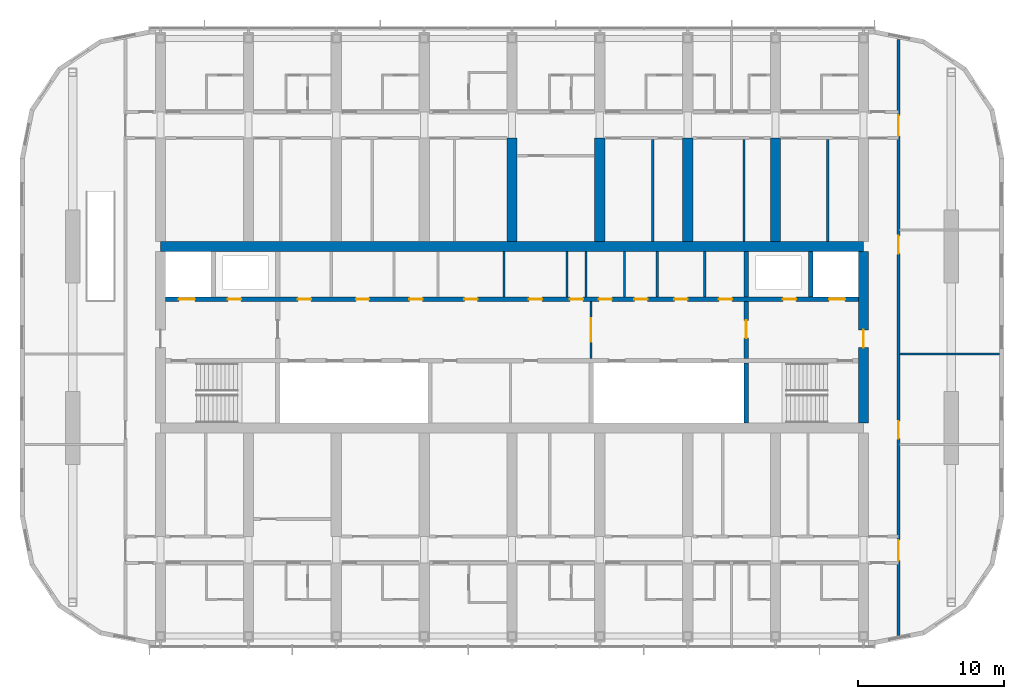
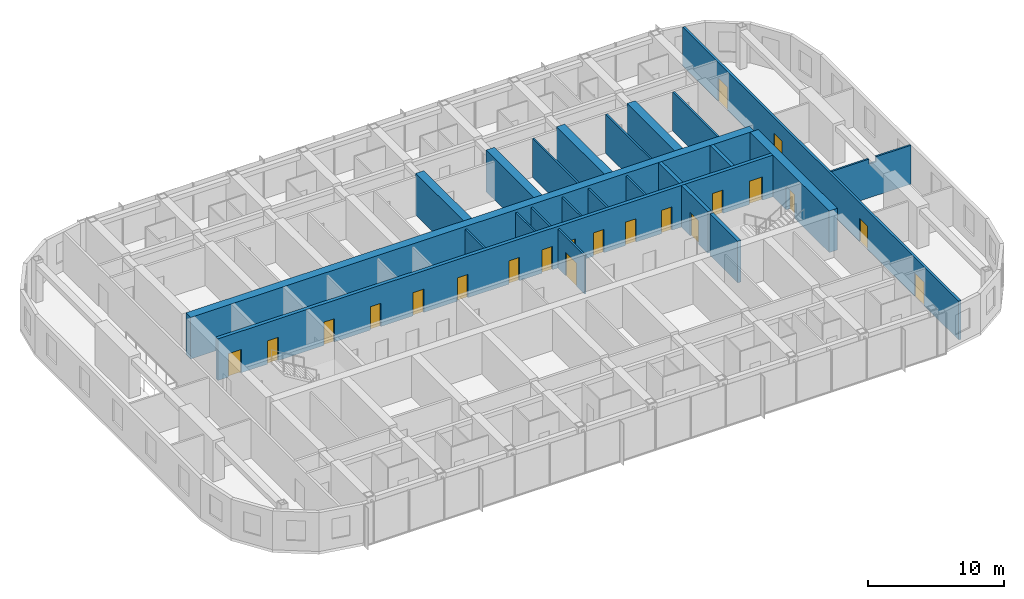
# One storey, part 14 of 23: 23 walls, 21 doors, 21 openings.
"""IFC4 building model written with IfcOpenShell, lengths in metres."""

from ifc_helpers import new_model, si_unit, direction, frame, frame_2d, origin, place, context, subcontext, project, spatial, polyline, rectangle, outline, extrude, material, layer, layer_set, type_object, element, fill, save


model = new_model("IFC4")

# Units and contexts
model_context = context("Model", 3, precision=1e-05, world=origin(), true_north=direction((0.0, 1.0)))
body_context = subcontext(model_context, "Body", "Model", "MODEL_VIEW")
ifc_project = project(units=[si_unit("LENGTHUNIT", "METRE"), si_unit("AREAUNIT", "SQUARE_METRE"), si_unit("VOLUMEUNIT", "CUBIC_METRE"), si_unit("PLANEANGLEUNIT", "RADIAN"), si_unit("MASSUNIT", "GRAM", prefix="KILO")], contexts=[model_context])

# Site, building, storey
site_placement = place(None, origin())
site = spatial("IfcSite", under=ifc_project, at=site_placement, CompositionType="ELEMENT")
building_placement = place(site_placement, origin())
building = spatial("IfcBuilding", under=site, at=building_placement, Name="Orbita Commons", CompositionType="ELEMENT")
storey_placement = place(building_placement, frame((0.0, 0.0, 220.300048828125)))
storey = spatial("IfcBuildingStorey", under=building, at=storey_placement, Name="L54", CompositionType="ELEMENT", Elevation=220.300048828125)

# Wall, openings, doors
ifc_material_1 = material(Name="Concrete C50/60", Category="concrete")
ifc_layer_1 = layer(ifc_material_1, 0.300048828125)
ifc_layer_set_1 = layer_set([ifc_layer_1], Name="Concrete C50/60")
wall_type_1 = type_object("IfcWallType", Name="Core inner wall 300 C50/60", PredefinedType="SHEAR", material=ifc_layer_set_1)
wall_1_placement = place(storey_placement, frame((18.35009765625, 34.60009765625, 0.0), z_axis=(0.0, 0.0, 1.0), x_axis=(1.0, 0.0, 0.0)))
wall_1 = element("IfcWall", 1, at=wall_1_placement, inside=storey, type_object=wall_type_1, Name="Lobby wall north L54", PredefinedType="SHEAR", context=body_context, shape_type="SweptSolid", body=[
    extrude(rectangle(XDim=47.2998046875, YDim=0.300048828125, at=frame_2d((23.64990234375, 0.0))), origin(), (0.0, 0.0, 1.0), 3.75),
])
opening_1_placement = place(wall_1_placement, frame((0.89990234375, 0.0, 0.0)))
opening_1 = element("IfcOpeningElement", 2, at=opening_1_placement, cuts=wall_1, Name="Opening LD01", PredefinedType="OPENING", context=body_context, shape_type="SweptSolid", body=[
    extrude(rectangle(XDim=1.10009765625, YDim=2.10009765625, at=frame_2d((0.550048828125, 1.050048828125))), frame((0.0, 0.159912109375, 0.0), z_axis=(0.0, -1.0, 0.0), x_axis=(1.0, 0.0, 0.0)), (0.0, 0.0, 1.0), 0.320068359375),
])
opening_2_placement = place(wall_1_placement, frame((45.300048828125, 0.0, 0.0)))
opening_2 = element("IfcOpeningElement", 3, at=opening_2_placement, cuts=wall_1, Name="Opening LD01", PredefinedType="OPENING", context=body_context, shape_type="SweptSolid", body=[
    extrude(rectangle(XDim=1.10009765625, YDim=2.10009765625, at=frame_2d((0.550048828125, 1.050048828125))), frame((0.0, 0.159912109375, 0.0), z_axis=(0.0, -1.0, 0.0), x_axis=(1.0, 0.0, 0.0)), (0.0, 0.0, 1.0), 0.320068359375),
])
opening_3_placement = place(wall_1_placement, frame((4.25, 0.0, 0.0)))
opening_3 = element("IfcOpeningElement", 4, at=opening_3_placement, cuts=wall_1, Name="Opening D03", PredefinedType="OPENING", context=body_context, shape_type="SweptSolid", body=[
    extrude(rectangle(XDim=0.89990234375, YDim=2.10009765625, at=frame_2d((0.449951171875, 1.050048828125))), frame((0.0, 0.159912109375, 0.0), z_axis=(0.0, -1.0, 0.0), x_axis=(1.0, 0.0, 0.0)), (0.0, 0.0, 1.0), 0.320068359375),
])
opening_4_placement = place(wall_1_placement, frame((42.14990234375, 0.0, 0.0)))
opening_4 = element("IfcOpeningElement", 5, at=opening_4_placement, cuts=wall_1, Name="Opening D03", PredefinedType="OPENING", context=body_context, shape_type="SweptSolid", body=[
    extrude(rectangle(XDim=0.89990234375, YDim=2.10009765625, at=frame_2d((0.449951171875, 1.050048828125))), frame((0.0, 0.159912109375, 0.0), z_axis=(0.0, -1.0, 0.0), x_axis=(1.0, 0.0, 0.0)), (0.0, 0.0, 1.0), 0.320068359375),
])
opening_5_placement = place(wall_1_placement, frame((9.025390625, 0.0, 0.0)))
opening_5 = element("IfcOpeningElement", 6, at=opening_5_placement, cuts=wall_1, Name="Opening D03", PredefinedType="OPENING", context=body_context, shape_type="SweptSolid", body=[
    extrude(rectangle(XDim=0.89990234375, YDim=2.10009765625, at=frame_2d((0.449951171875, 1.050048828125))), frame((0.0, 0.159912109375, 0.0), z_axis=(0.0, -1.0, 0.0), x_axis=(1.0, 0.0, 0.0)), (0.0, 0.0, 1.0), 0.320068359375),
])
opening_6_placement = place(wall_1_placement, frame((12.998779296875, 0.0, 0.0)))
opening_6 = element("IfcOpeningElement", 7, at=opening_6_placement, cuts=wall_1, Name="Opening D03", PredefinedType="OPENING", context=body_context, shape_type="SweptSolid", body=[
    extrude(rectangle(XDim=0.89990234375, YDim=2.10009765625, at=frame_2d((0.449951171875, 1.050048828125))), frame((0.0, 0.159912109375, 0.0), z_axis=(0.0, -1.0, 0.0), x_axis=(1.0, 0.0, 0.0)), (0.0, 0.0, 1.0), 0.320068359375),
])
opening_7_placement = place(wall_1_placement, frame((16.646240234375, 0.0, 0.0)))
opening_7 = element("IfcOpeningElement", 8, at=opening_7_placement, cuts=wall_1, Name="Opening D03", PredefinedType="OPENING", context=body_context, shape_type="SweptSolid", body=[
    extrude(rectangle(XDim=0.89990234375, YDim=2.10009765625, at=frame_2d((0.449951171875, 1.050048828125))), frame((0.0, 0.159912109375, 0.0), z_axis=(0.0, -1.0, 0.0), x_axis=(1.0, 0.0, 0.0)), (0.0, 0.0, 1.0), 0.320068359375),
])
opening_8_placement = place(wall_1_placement, frame((20.40478515625, 0.0, 0.0)))
opening_8 = element("IfcOpeningElement", 9, at=opening_8_placement, cuts=wall_1, Name="Opening D03", PredefinedType="OPENING", context=body_context, shape_type="SweptSolid", body=[
    extrude(rectangle(XDim=0.89990234375, YDim=2.10009765625, at=frame_2d((0.449951171875, 1.050048828125))), frame((0.0, 0.159912109375, 0.0), z_axis=(0.0, -1.0, 0.0), x_axis=(1.0, 0.0, 0.0)), (0.0, 0.0, 1.0), 0.320068359375),
])
opening_9_placement = place(wall_1_placement, frame((24.810791015625, 0.0, 0.0)))
opening_9 = element("IfcOpeningElement", 10, at=opening_9_placement, cuts=wall_1, Name="Opening D03", PredefinedType="OPENING", context=body_context, shape_type="SweptSolid", body=[
    extrude(rectangle(XDim=0.89990234375, YDim=2.10009765625, at=frame_2d((0.449951171875, 1.050048828125))), frame((0.0, 0.159912109375, 0.0), z_axis=(0.0, -1.0, 0.0), x_axis=(1.0, 0.0, 0.0)), (0.0, 0.0, 1.0), 0.320068359375),
])
opening_10_placement = place(wall_1_placement, frame((27.6083984375, 0.0, 0.0)))
opening_10 = element("IfcOpeningElement", 11, at=opening_10_placement, cuts=wall_1, Name="Opening D03", PredefinedType="OPENING", context=body_context, shape_type="SweptSolid", body=[
    extrude(rectangle(XDim=0.89990234375, YDim=2.10009765625, at=frame_2d((0.449951171875, 1.050048828125))), frame((0.0, 0.159912109375, 0.0), z_axis=(0.0, -1.0, 0.0), x_axis=(1.0, 0.0, 0.0)), (0.0, 0.0, 1.0), 0.320068359375),
])
opening_11_placement = place(wall_1_placement, frame((29.575439453125, 0.0, 0.0)))
opening_11 = element("IfcOpeningElement", 12, at=opening_11_placement, cuts=wall_1, Name="Opening D05", PredefinedType="OPENING", context=body_context, shape_type="SweptSolid", body=[
    extrude(rectangle(XDim=0.89990234375, YDim=2.10009765625, at=frame_2d((0.449951171875, 1.050048828125))), frame((0.0, 0.159912109375, 0.0), z_axis=(0.0, -1.0, 0.0), x_axis=(1.0, 0.0, 0.0)), (0.0, 0.0, 1.0), 0.320068359375),
])
opening_12_placement = place(wall_1_placement, frame((32.0068359375, 0.0, 0.0)))
opening_12 = element("IfcOpeningElement", 13, at=opening_12_placement, cuts=wall_1, Name="Opening D05", PredefinedType="OPENING", context=body_context, shape_type="SweptSolid", body=[
    extrude(rectangle(XDim=0.89990234375, YDim=2.10009765625, at=frame_2d((0.449951171875, 1.050048828125))), frame((0.0, 0.159912109375, 0.0), z_axis=(0.0, -1.0, 0.0), x_axis=(1.0, 0.0, 0.0)), (0.0, 0.0, 1.0), 0.320068359375),
])
opening_13_placement = place(wall_1_placement, frame((34.7421875, 0.0, 0.0)))
opening_13 = element("IfcOpeningElement", 14, at=opening_13_placement, cuts=wall_1, Name="Opening D05", PredefinedType="OPENING", context=body_context, shape_type="SweptSolid", body=[
    extrude(rectangle(XDim=0.89990234375, YDim=2.10009765625, at=frame_2d((0.449951171875, 1.050048828125))), frame((0.0, 0.159912109375, 0.0), z_axis=(0.0, -1.0, 0.0), x_axis=(1.0, 0.0, 0.0)), (0.0, 0.0, 1.0), 0.320068359375),
])
opening_14_placement = place(wall_1_placement, frame((37.781494140625, 0.0, 0.0)))
opening_14 = element("IfcOpeningElement", 15, at=opening_14_placement, cuts=wall_1, Name="Opening D03", PredefinedType="OPENING", context=body_context, shape_type="SweptSolid", body=[
    extrude(rectangle(XDim=0.89990234375, YDim=2.10009765625, at=frame_2d((0.449951171875, 1.050048828125))), frame((0.0, 0.159912109375, 0.0), z_axis=(0.0, -1.0, 0.0), x_axis=(1.0, 0.0, 0.0)), (0.0, 0.0, 1.0), 0.320068359375),
])
ifc_material_2 = material(Name="Steel-faced fire door leaf", Category="steel")
door_type_1 = type_object("IfcDoorType", Name="Firefighting lift landing door 1100x2100", OperationType="DOUBLE_DOOR_SLIDING", PredefinedType="DOOR", material=ifc_material_2)
door_1_placement = place(opening_1_placement, origin())
door_1 = element("IfcDoor", 16, at=door_1_placement, inside=storey, type_object=door_type_1, Name="Firefighting lift FL1 landing door", OperationType="DOUBLE_DOOR_SLIDING", OverallHeight=2.10009765625, OverallWidth=1.10009765625, PredefinedType="DOOR", context=body_context, shape_type="SweptSolid", body=[
    extrude(rectangle(XDim=1.10009765625, YDim=2.10009765625, at=frame_2d((0.550048828125, 1.050048828125))), frame((0.0, 0.02490234375, 0.0), z_axis=(0.0, -1.0, 0.0), x_axis=(1.0, 0.0, 0.0)), (0.0, 0.0, 1.0), 0.050048828125),
])
fill(opening_1, door_1)
door_2_placement = place(opening_2_placement, origin())
door_2 = element("IfcDoor", 17, at=door_2_placement, inside=storey, type_object=door_type_1, Name="Firefighting lift FL2 landing door", OperationType="DOUBLE_DOOR_SLIDING", OverallHeight=2.10009765625, OverallWidth=1.10009765625, PredefinedType="DOOR", context=body_context, shape_type="SweptSolid", body=[
    extrude(rectangle(XDim=1.10009765625, YDim=2.10009765625, at=frame_2d((0.550048828125, 1.050048828125))), frame((0.0, 0.02490234375, 0.0), z_axis=(0.0, -1.0, 0.0), x_axis=(1.0, 0.0, 0.0)), (0.0, 0.0, 1.0), 0.050048828125),
])
fill(opening_2, door_2)
ifc_material_3 = material(Name="Steel-faced fire door leaf", Category="steel")
door_type_2 = type_object("IfcDoorType", Name="Service door 20 min 900x2100", OperationType="SINGLE_SWING_LEFT", PredefinedType="DOOR", material=ifc_material_3)
door_3_placement = place(opening_11_placement, origin())
door_3 = element("IfcDoor", 18, at=door_3_placement, inside=storey, type_object=door_type_2, Name="Accessible WC door", OperationType="SINGLE_SWING_LEFT", OverallHeight=2.10009765625, OverallWidth=0.89990234375, PredefinedType="DOOR", context=body_context, shape_type="SweptSolid", body=[
    extrude(rectangle(XDim=0.89990234375, YDim=2.10009765625, at=frame_2d((0.449951171875, 1.050048828125))), frame((0.0, 0.02490234375, 0.0), z_axis=(0.0, -1.0, 0.0), x_axis=(1.0, 0.0, 0.0)), (0.0, 0.0, 1.0), 0.050048828125),
])
fill(opening_11, door_3)
door_4_placement = place(opening_12_placement, origin())
door_4 = element("IfcDoor", 19, at=door_4_placement, inside=storey, type_object=door_type_2, Name="Staff WC door", OperationType="SINGLE_SWING_LEFT", OverallHeight=2.10009765625, OverallWidth=0.89990234375, PredefinedType="DOOR", context=body_context, shape_type="SweptSolid", body=[
    extrude(rectangle(XDim=0.89990234375, YDim=2.10009765625, at=frame_2d((0.449951171875, 1.050048828125))), frame((0.0, 0.02490234375, 0.0), z_axis=(0.0, -1.0, 0.0), x_axis=(1.0, 0.0, 0.0)), (0.0, 0.0, 1.0), 0.050048828125),
])
fill(opening_12, door_4)
door_5_placement = place(opening_13_placement, origin())
door_5 = element("IfcDoor", 20, at=door_5_placement, inside=storey, type_object=door_type_2, Name="Guest pantry door", OperationType="SINGLE_SWING_LEFT", OverallHeight=2.10009765625, OverallWidth=0.89990234375, PredefinedType="DOOR", context=body_context, shape_type="SweptSolid", body=[
    extrude(rectangle(XDim=0.89990234375, YDim=2.10009765625, at=frame_2d((0.449951171875, 1.050048828125))), frame((0.0, 0.02490234375, 0.0), z_axis=(0.0, -1.0, 0.0), x_axis=(1.0, 0.0, 0.0)), (0.0, 0.0, 1.0), 0.050048828125),
])
fill(opening_13, door_5)
ifc_material_4 = material(Name="Steel-faced fire door leaf", Category="steel")
door_type_3 = type_object("IfcDoorType", Name="Shaft access door 90 min 900x2100", OperationType="SINGLE_SWING_LEFT", PredefinedType="DOOR", material=ifc_material_4)
door_6_placement = place(opening_3_placement, origin())
door_6 = element("IfcDoor", 21, at=door_6_placement, inside=storey, type_object=door_type_3, Name="Riser door west", OperationType="SINGLE_SWING_LEFT", OverallHeight=2.10009765625, OverallWidth=0.89990234375, PredefinedType="DOOR", context=body_context, shape_type="SweptSolid", body=[
    extrude(rectangle(XDim=0.89990234375, YDim=2.10009765625, at=frame_2d((0.449951171875, 1.050048828125))), frame((0.0, 0.02490234375, 0.0), z_axis=(0.0, -1.0, 0.0), x_axis=(1.0, 0.0, 0.0)), (0.0, 0.0, 1.0), 0.050048828125),
])
fill(opening_3, door_6)
door_7_placement = place(opening_4_placement, origin())
door_7 = element("IfcDoor", 22, at=door_7_placement, inside=storey, type_object=door_type_3, Name="Riser door east", OperationType="SINGLE_SWING_LEFT", OverallHeight=2.10009765625, OverallWidth=0.89990234375, PredefinedType="DOOR", context=body_context, shape_type="SweptSolid", body=[
    extrude(rectangle(XDim=0.89990234375, YDim=2.10009765625, at=frame_2d((0.449951171875, 1.050048828125))), frame((0.0, 0.02490234375, 0.0), z_axis=(0.0, -1.0, 0.0), x_axis=(1.0, 0.0, 0.0)), (0.0, 0.0, 1.0), 0.050048828125),
])
fill(opening_4, door_7)
door_8_placement = place(opening_5_placement, origin())
door_8 = element("IfcDoor", 23, at=door_8_placement, inside=storey, type_object=door_type_3, Name="Cleaners store door", OperationType="SINGLE_SWING_LEFT", OverallHeight=2.10009765625, OverallWidth=0.89990234375, PredefinedType="DOOR", context=body_context, shape_type="SweptSolid", body=[
    extrude(rectangle(XDim=0.89990234375, YDim=2.10009765625, at=frame_2d((0.449951171875, 1.050048828125))), frame((0.0, 0.02490234375, 0.0), z_axis=(0.0, -1.0, 0.0), x_axis=(1.0, 0.0, 0.0)), (0.0, 0.0, 1.0), 0.050048828125),
])
fill(opening_5, door_8)
door_9_placement = place(opening_6_placement, origin())
door_9 = element("IfcDoor", 24, at=door_9_placement, inside=storey, type_object=door_type_3, Name="Refuse chute room door", OperationType="SINGLE_SWING_LEFT", OverallHeight=2.10009765625, OverallWidth=0.89990234375, PredefinedType="DOOR", context=body_context, shape_type="SweptSolid", body=[
    extrude(rectangle(XDim=0.89990234375, YDim=2.10009765625, at=frame_2d((0.449951171875, 1.050048828125))), frame((0.0, 0.02490234375, 0.0), z_axis=(0.0, -1.0, 0.0), x_axis=(1.0, 0.0, 0.0)), (0.0, 0.0, 1.0), 0.050048828125),
])
fill(opening_6, door_9)
door_10_placement = place(opening_7_placement, origin())
door_10 = element("IfcDoor", 25, at=door_10_placement, inside=storey, type_object=door_type_3, Name="Electrical riser room door", OperationType="SINGLE_SWING_LEFT", OverallHeight=2.10009765625, OverallWidth=0.89990234375, PredefinedType="DOOR", context=body_context, shape_type="SweptSolid", body=[
    extrude(rectangle(XDim=0.89990234375, YDim=2.10009765625, at=frame_2d((0.449951171875, 1.050048828125))), frame((0.0, 0.02490234375, 0.0), z_axis=(0.0, -1.0, 0.0), x_axis=(1.0, 0.0, 0.0)), (0.0, 0.0, 1.0), 0.050048828125),
])
fill(opening_7, door_10)
door_11_placement = place(opening_8_placement, origin())
door_11 = element("IfcDoor", 26, at=door_11_placement, inside=storey, type_object=door_type_3, Name="IT room door", OperationType="SINGLE_SWING_LEFT", OverallHeight=2.10009765625, OverallWidth=0.89990234375, PredefinedType="DOOR", context=body_context, shape_type="SweptSolid", body=[
    extrude(rectangle(XDim=0.89990234375, YDim=2.10009765625, at=frame_2d((0.449951171875, 1.050048828125))), frame((0.0, 0.02490234375, 0.0), z_axis=(0.0, -1.0, 0.0), x_axis=(1.0, 0.0, 0.0)), (0.0, 0.0, 1.0), 0.050048828125),
])
fill(opening_8, door_11)
door_12_placement = place(opening_9_placement, origin())
door_12 = element("IfcDoor", 27, at=door_12_placement, inside=storey, type_object=door_type_3, Name="Communications room door", OperationType="SINGLE_SWING_LEFT", OverallHeight=2.10009765625, OverallWidth=0.89990234375, PredefinedType="DOOR", context=body_context, shape_type="SweptSolid", body=[
    extrude(rectangle(XDim=0.89990234375, YDim=2.10009765625, at=frame_2d((0.449951171875, 1.050048828125))), frame((0.0, 0.02490234375, 0.0), z_axis=(0.0, -1.0, 0.0), x_axis=(1.0, 0.0, 0.0)), (0.0, 0.0, 1.0), 0.050048828125),
])
fill(opening_9, door_12)
door_13_placement = place(opening_10_placement, origin())
door_13 = element("IfcDoor", 28, at=door_13_placement, inside=storey, type_object=door_type_3, Name="Stair pressurisation duct door", OperationType="SINGLE_SWING_LEFT", OverallHeight=2.10009765625, OverallWidth=0.89990234375, PredefinedType="DOOR", context=body_context, shape_type="SweptSolid", body=[
    extrude(rectangle(XDim=0.89990234375, YDim=2.10009765625, at=frame_2d((0.449951171875, 1.050048828125))), frame((0.0, 0.02490234375, 0.0), z_axis=(0.0, -1.0, 0.0), x_axis=(1.0, 0.0, 0.0)), (0.0, 0.0, 1.0), 0.050048828125),
])
fill(opening_10, door_13)
door_14_placement = place(opening_14_placement, origin())
door_14 = element("IfcDoor", 29, at=door_14_placement, inside=storey, type_object=door_type_3, Name="Linen store door", OperationType="SINGLE_SWING_LEFT", OverallHeight=2.10009765625, OverallWidth=0.89990234375, PredefinedType="DOOR", context=body_context, shape_type="SweptSolid", body=[
    extrude(rectangle(XDim=0.89990234375, YDim=2.10009765625, at=frame_2d((0.449951171875, 1.050048828125))), frame((0.0, 0.02490234375, 0.0), z_axis=(0.0, -1.0, 0.0), x_axis=(1.0, 0.0, 0.0)), (0.0, 0.0, 1.0), 0.050048828125),
])
fill(opening_14, door_14)

# Wall
wall_2_placement = place(storey_placement, frame((58.0, 26.14990234375, 0.0), z_axis=(0.0, 0.0, 1.0), x_axis=(0.0, 1.0, 0.0)))
element("IfcWall", 30, at=wall_2_placement, inside=storey, type_object=wall_type_1, Name="Stair S2 wall L54", PredefinedType="SHEAR", context=body_context, shape_type="SweptSolid", body=[
    extrude(rectangle(XDim=4.10009765625, YDim=0.300048828125, at=frame_2d((2.050048828125, 0.0))), origin(), (0.0, 0.0, 1.0), 3.75),
])

# Wall, opening, door
wall_3_placement = place(storey_placement, frame((58.0, 30.550048828125, 0.0), z_axis=(0.0, 0.0, 1.0), x_axis=(0.0, 1.0, 0.0)))
wall_3 = element("IfcWall", 31, at=wall_3_placement, inside=storey, type_object=wall_type_1, Name="Firefighting lobby wall east L54", PredefinedType="SHEAR", context=body_context, shape_type="SweptSolid", body=[
    extrude(rectangle(XDim=3.89990234375, YDim=0.300048828125, at=frame_2d((1.949951171875, 0.0))), origin(), (0.0, 0.0, 1.0), 3.75),
])
opening_15_placement = place(wall_3_placement, frame((1.39990234375, 0.0, 0.0)))
opening_15 = element("IfcOpeningElement", 32, at=opening_15_placement, cuts=wall_3, Name="Opening D04", PredefinedType="OPENING", context=body_context, shape_type="SweptSolid", body=[
    extrude(rectangle(XDim=1.199951171875, YDim=2.10009765625, at=frame_2d((0.60009765625, 1.050048828125))), frame((0.0, 0.159912109375, 0.0), z_axis=(0.0, -1.0, 0.0), x_axis=(1.0, 0.0, 0.0)), (0.0, 0.0, 1.0), 0.320068359375),
])
ifc_material_5 = material(Name="Steel-faced fire door leaf", Category="steel")
door_type_4 = type_object("IfcDoorType", Name="Service door 20 min 1200x2100", OperationType="SINGLE_SWING_LEFT", PredefinedType="DOOR", material=ifc_material_5)
door_15_placement = place(opening_15_placement, origin())
door_15 = element("IfcDoor", 33, at=door_15_placement, inside=storey, type_object=door_type_4, Name="Lift lobby door east", OperationType="SINGLE_SWING_LEFT", OverallHeight=2.10009765625, OverallWidth=1.199951171875, PredefinedType="DOOR", context=body_context, shape_type="SweptSolid", body=[
    extrude(rectangle(XDim=1.199951171875, YDim=2.10009765625, at=frame_2d((0.60009765625, 1.050048828125))), frame((0.0, 0.02490234375, 0.0), z_axis=(0.0, -1.0, 0.0), x_axis=(1.0, 0.0, 0.0)), (0.0, 0.0, 1.0), 0.050048828125),
])
fill(opening_15, door_15)

# Walls
for number, where, z_axis, x_axis, name in (
    (34, (62.39990234375, 34.75, 0.0), (0.0, 0.0, 1.0), (0.0, 1.0, 0.0), "Firefighting lift FL2 shaft wall L54"),
    (35, (58.0, 34.75, 0.0), (0.0, 0.0, 1.0), (0.0, 1.0, 0.0), "Riser wall east L54"),
):
    element("IfcWall", number, at=place(storey_placement, frame(where, z_axis=z_axis, x_axis=x_axis)), inside=storey, type_object=wall_type_1, Name=name, PredefinedType="SHEAR", context=body_context, shape_type="SweptSolid", body=[
        extrude(rectangle(XDim=3.10009765625, YDim=0.300048828125, at=frame_2d((1.550048828125, 0.0))), origin(), (0.0, 0.0, 1.0), 3.75),
    ])

# Wall, opening, door
ifc_material_6 = material(Name="Concrete blockwork", Category="masonry")
ifc_layer_2 = layer(ifc_material_6, 0.14990234375)
ifc_layer_set_2 = layer_set([ifc_layer_2], Name="Concrete blockwork")
wall_type_2 = type_object("IfcWallType", Name="Core partition 150 blockwork", PredefinedType="SOLIDWALL", material=ifc_layer_set_2)
wall_4_placement = place(storey_placement, frame((47.39990234375, 30.550048828125, 0.0), z_axis=(0.0, 0.0, 1.0), x_axis=(0.0, 1.0, 0.0)))
wall_4 = element("IfcWall", 36, at=wall_4_placement, inside=storey, type_object=wall_type_2, Name="Core partition 150 blockwork L54", PredefinedType="SOLIDWALL", context=body_context, shape_type="SweptSolid", body=[
    extrude(rectangle(XDim=3.89990234375, YDim=0.14990234375, at=frame_2d((1.949951171875, 0.0))), origin(), (0.0, 0.0, 1.0), 3.5),
])
opening_16_placement = place(wall_4_placement, frame((1.14990234375, 0.0, 0.0)))
opening_16 = element("IfcOpeningElement", 37, at=opening_16_placement, cuts=wall_4, Name="Opening D10", PredefinedType="OPENING", context=body_context, shape_type="SweptSolid", body=[
    extrude(rectangle(XDim=1.60009765625, YDim=2.10009765625, at=frame_2d((0.800048828125, 1.050048828125))), frame((0.0, 0.0849609375, 0.0), z_axis=(0.0, -1.0, 0.0), x_axis=(1.0, 0.0, 0.0)), (0.0, 0.0, 1.0), 0.169921875),
])
ifc_material_7 = material(Name="Steel-faced fire door leaf", Category="steel")
door_type_5 = type_object("IfcDoorType", Name="Double corridor door 20 min 1600x2100", OperationType="DOUBLE_DOOR_SINGLE_SWING", PredefinedType="DOOR", material=ifc_material_7)
door_16_placement = place(opening_16_placement, origin())
door_16 = element("IfcDoor", 38, at=door_16_placement, inside=storey, type_object=door_type_5, Name="Lift lobby screen doors", OperationType="DOUBLE_DOOR_SINGLE_SWING", OverallHeight=2.10009765625, OverallWidth=1.60009765625, PredefinedType="DOOR", context=body_context, shape_type="SweptSolid", body=[
    extrude(rectangle(XDim=1.60009765625, YDim=2.10009765625, at=frame_2d((0.800048828125, 1.050048828125))), frame((0.0, 0.02490234375, 0.0), z_axis=(0.0, -1.0, 0.0), x_axis=(1.0, 0.0, 0.0)), (0.0, 0.0, 1.0), 0.050048828125),
])
fill(opening_16, door_16)

# Walls
for number, where, z_axis, x_axis, name in (
    (39, (41.463134765625, 34.75, 0.0), (0.0, 0.0, 1.0), (0.0, 1.0, 0.0), "Core partition 150 blockwork L54"),
    (40, (45.75830078125, 34.75, 0.0), (0.0, 0.0, 1.0), (0.0, 1.0, 0.0), "Core partition 150 blockwork L54"),
    (41, (47.058349609375, 34.75, 0.0), (0.0, 0.0, 1.0), (0.0, 1.0, 0.0), "Core partition 150 blockwork L54"),
    (42, (49.6923828125, 34.75, 0.0), (0.0, 0.0, 1.0), (0.0, 1.0, 0.0), "Core partition 150 blockwork L54"),
    (43, (51.92138671875, 34.75, 0.0), (0.0, 0.0, 1.0), (0.0, 1.0, 0.0), "Core partition 150 blockwork L54"),
    (44, (55.163330078125, 34.75, 0.0), (0.0, 0.0, 1.0), (0.0, 1.0, 0.0), "Core partition 150 blockwork L54"),
):
    element("IfcWall", number, at=place(storey_placement, frame(where, z_axis=z_axis, x_axis=x_axis)), inside=storey, type_object=wall_type_2, Name=name, PredefinedType="SOLIDWALL", context=body_context, shape_type="SweptSolid", body=[
        extrude(rectangle(XDim=3.10009765625, YDim=0.14990234375, at=frame_2d((1.550048828125, 0.0))), origin(), (0.0, 0.0, 1.0), 3.5),
    ])
ifc_material_8 = material(Name="Concrete C50/60", Category="concrete")
ifc_layer_3 = layer(ifc_material_8, 0.699951171875)
ifc_layer_set_3 = layer_set([ifc_layer_3], Name="Concrete C50/60")
wall_type_3 = type_object("IfcWallType", Name="Core wall 700 C50/60", PredefinedType="SHEAR", material=ifc_layer_set_3)
wall_5_placement = place(storey_placement, frame((18.0, 38.199951171875, 0.0), z_axis=(0.0, 0.0, 1.0), x_axis=(1.0, 0.0, 0.0)))
element("IfcWall", 45, at=wall_5_placement, inside=storey, type_object=wall_type_3, Name="Core spine wall north L54", PredefinedType="SHEAR", context=body_context, shape_type="SweptSolid", body=[
    extrude(rectangle(XDim=48.0, YDim=0.699951171875, at=frame_2d((24.0, 0.0))), origin(), (0.0, 0.0, 1.0), 3.75),
])

# Wall, opening, door
wall_6_placement = place(storey_placement, frame((66.0, 26.14990234375, 0.0), z_axis=(0.0, 0.0, 1.0), x_axis=(0.0, 1.0, 0.0)))
wall_6 = element("IfcWall", 46, at=wall_6_placement, inside=storey, type_object=wall_type_3, Name="Core end wall east L54", PredefinedType="SHEAR", context=body_context, shape_type="SweptSolid", body=[
    extrude(rectangle(XDim=11.7001953125, YDim=0.699951171875, at=frame_2d((5.85009765625, 0.0))), origin(), (0.0, 0.0, 1.0), 3.75),
])
opening_17_placement = place(wall_6_placement, frame((5.14990234375, 0.0, 0.0)))
opening_17 = element("IfcOpeningElement", 47, at=opening_17_placement, cuts=wall_6, Name="Opening D01", PredefinedType="OPENING", context=body_context, shape_type="SweptSolid", body=[
    extrude(rectangle(XDim=1.199951171875, YDim=2.10009765625, at=frame_2d((0.60009765625, 1.050048828125))), frame((0.0, 0.35986328125, 0.0), z_axis=(0.0, -1.0, 0.0), x_axis=(1.0, 0.0, 0.0)), (0.0, 0.0, 1.0), 0.719970703125),
])
ifc_material_9 = material(Name="Steel-faced fire door leaf", Category="steel")
door_type_6 = type_object("IfcDoorType", Name="Fire door 90 min 1200x2100", OperationType="SINGLE_SWING_LEFT", PredefinedType="DOOR", material=ifc_material_9)
door_17_placement = place(opening_17_placement, origin())
door_17 = element("IfcDoor", 48, at=door_17_placement, inside=storey, type_object=door_type_6, Name="Firefighting lobby east door", OperationType="SINGLE_SWING_LEFT", OverallHeight=2.10009765625, OverallWidth=1.199951171875, PredefinedType="DOOR", context=body_context, shape_type="SweptSolid", body=[
    extrude(rectangle(XDim=1.199951171875, YDim=2.10009765625, at=frame_2d((0.60009765625, 1.050048828125))), frame((0.0, 0.02490234375, 0.0), z_axis=(0.0, -1.0, 0.0), x_axis=(1.0, 0.0, 0.0)), (0.0, 0.0, 1.0), 0.050048828125),
])
fill(opening_17, door_17)

# Wall, openings, doors
ifc_material_10 = material(Name="Concrete blockwork", Category="masonry")
ifc_layer_4 = layer(ifc_material_10, 0.199951171875)
ifc_layer_set_4 = layer_set([ifc_layer_4], Name="Concrete blockwork")
wall_type_4 = type_object("IfcWallType", Name="Corridor wall 200 blockwork", PredefinedType="SOLIDWALL", material=ifc_layer_set_4)
wall_7_placement = place(storey_placement, frame((68.39990234375, 11.646240234375, 0.0), z_axis=(0.0, 0.0, 1.0), x_axis=(0.0, 1.0, 0.0)))
wall_7 = element("IfcWall", 49, at=wall_7_placement, inside=storey, type_object=wall_type_4, Name="Corridor wall 200 blockwork L54", PredefinedType="SOLIDWALL", context=body_context, shape_type="SweptSolid", body=[
    extrude(rectangle(XDim=40.70751953125, YDim=0.199951171875, at=frame_2d((20.353759765625, 0.0))), origin(), (0.0, 0.0, 1.0), 3.5),
])
opening_18_placement = place(wall_7_placement, frame((13.433837890625, 0.0, 0.0)))
opening_18 = element("IfcOpeningElement", 50, at=opening_18_placement, cuts=wall_7, Name="Opening D15", PredefinedType="OPENING", context=body_context, shape_type="SweptSolid", body=[
    extrude(rectangle(XDim=1.199951171875, YDim=2.10009765625, at=frame_2d((0.60009765625, 1.050048828125))), frame((0.0, 0.10986328125, 0.0), z_axis=(0.0, -1.0, 0.0), x_axis=(1.0, 0.0, 0.0)), (0.0, 0.0, 1.0), 0.219970703125),
])
opening_19_placement = place(wall_7_placement, frame((26.07373046875, 0.0, 0.0)))
opening_19 = element("IfcOpeningElement", 51, at=opening_19_placement, cuts=wall_7, Name="Opening D15", PredefinedType="OPENING", context=body_context, shape_type="SweptSolid", body=[
    extrude(rectangle(XDim=1.199951171875, YDim=2.10009765625, at=frame_2d((0.60009765625, 1.050048828125))), frame((0.0, 0.10986328125, 0.0), z_axis=(0.0, -1.0, 0.0), x_axis=(1.0, 0.0, 0.0)), (0.0, 0.0, 1.0), 0.219970703125),
])
opening_20_placement = place(wall_7_placement, frame((5.103759765625, 0.0, 0.0)))
opening_20 = element("IfcOpeningElement", 52, at=opening_20_placement, cuts=wall_7, Name="Opening D08", PredefinedType="OPENING", context=body_context, shape_type="SweptSolid", body=[
    extrude(rectangle(XDim=1.39990234375, YDim=2.10009765625, at=frame_2d((0.699951171875, 1.050048828125))), frame((0.0, 0.10986328125, 0.0), z_axis=(0.0, -1.0, 0.0), x_axis=(1.0, 0.0, 0.0)), (0.0, 0.0, 1.0), 0.219970703125),
])
opening_21_placement = place(wall_7_placement, frame((34.103759765625, 0.0, 0.0)))
opening_21 = element("IfcOpeningElement", 53, at=opening_21_placement, cuts=wall_7, Name="Opening D08", PredefinedType="OPENING", context=body_context, shape_type="SweptSolid", body=[
    extrude(rectangle(XDim=1.39990234375, YDim=2.10009765625, at=frame_2d((0.699951171875, 1.050048828125))), frame((0.0, 0.10986328125, 0.0), z_axis=(0.0, -1.0, 0.0), x_axis=(1.0, 0.0, 0.0)), (0.0, 0.0, 1.0), 0.219970703125),
])
ifc_material_11 = material(Name="Steel-faced fire door leaf", Category="steel")
door_type_7 = type_object("IfcDoorType", Name="Corridor door 20 min 1200x2100", OperationType="SINGLE_SWING_LEFT", PredefinedType="DOOR", material=ifc_material_11)
door_18_placement = place(opening_18_placement, origin())
door_18 = element("IfcDoor", 54, at=door_18_placement, inside=storey, type_object=door_type_7, Name="Reading room door", OperationType="SINGLE_SWING_LEFT", OverallHeight=2.10009765625, OverallWidth=1.199951171875, PredefinedType="DOOR", context=body_context, shape_type="SweptSolid", body=[
    extrude(rectangle(XDim=1.199951171875, YDim=2.10009765625, at=frame_2d((0.60009765625, 1.050048828125))), frame((0.0, 0.02490234375, 0.0), z_axis=(0.0, -1.0, 0.0), x_axis=(1.0, 0.0, 0.0)), (0.0, 0.0, 1.0), 0.050048828125),
])
fill(opening_18, door_18)
door_19_placement = place(opening_19_placement, origin())
door_19 = element("IfcDoor", 55, at=door_19_placement, inside=storey, type_object=door_type_7, Name="Study hall door", OperationType="SINGLE_SWING_LEFT", OverallHeight=2.10009765625, OverallWidth=1.199951171875, PredefinedType="DOOR", context=body_context, shape_type="SweptSolid", body=[
    extrude(rectangle(XDim=1.199951171875, YDim=2.10009765625, at=frame_2d((0.60009765625, 1.050048828125))), frame((0.0, 0.02490234375, 0.0), z_axis=(0.0, -1.0, 0.0), x_axis=(1.0, 0.0, 0.0)), (0.0, 0.0, 1.0), 0.050048828125),
])
fill(opening_19, door_19)
ifc_material_12 = material(Name="Steel-faced fire door leaf", Category="steel")
door_type_8 = type_object("IfcDoorType", Name="Double corridor door 20 min 1400x2100", OperationType="DOUBLE_DOOR_SINGLE_SWING", PredefinedType="DOOR", material=ifc_material_12)
door_20_placement = place(opening_20_placement, origin())
door_20 = element("IfcDoor", 56, at=door_20_placement, inside=storey, type_object=door_type_8, Name="Lounge doors", OperationType="DOUBLE_DOOR_SINGLE_SWING", OverallHeight=2.10009765625, OverallWidth=1.39990234375, PredefinedType="DOOR", context=body_context, shape_type="SweptSolid", body=[
    extrude(rectangle(XDim=1.39990234375, YDim=2.10009765625, at=frame_2d((0.699951171875, 1.050048828125))), frame((0.0, 0.02490234375, 0.0), z_axis=(0.0, -1.0, 0.0), x_axis=(1.0, 0.0, 0.0)), (0.0, 0.0, 1.0), 0.050048828125),
])
fill(opening_20, door_20)
door_21_placement = place(opening_21_placement, origin())
door_21 = element("IfcDoor", 57, at=door_21_placement, inside=storey, type_object=door_type_8, Name="Lounge doors", OperationType="DOUBLE_DOOR_SINGLE_SWING", OverallHeight=2.10009765625, OverallWidth=1.39990234375, PredefinedType="DOOR", context=body_context, shape_type="SweptSolid", body=[
    extrude(rectangle(XDim=1.39990234375, YDim=2.10009765625, at=frame_2d((0.699951171875, 1.050048828125))), frame((0.0, 0.02490234375, 0.0), z_axis=(0.0, -1.0, 0.0), x_axis=(1.0, 0.0, 0.0)), (0.0, 0.0, 1.0), 0.050048828125),
])
fill(opening_21, door_21)

# Walls
ifc_material_13 = material(Name="Concrete C50/60", Category="concrete")
ifc_layer_5 = layer(ifc_material_13, 0.699951171875)
ifc_layer_set_5 = layer_set([ifc_layer_5], Name="Concrete C50/60")
wall_type_5 = type_object("IfcWallType", Name="Cross wall 700 C50/60", PredefinedType="SHEAR", material=ifc_layer_set_5)
for number, where, z_axis, x_axis, name in (
    (58, (42.0, 38.550048828125, 0.0), (0.0, 0.0, 1.0), (0.0, 1.0, 0.0), "Cross wall 8 north inner L54"),
    (59, (48.0, 38.550048828125, 0.0), (0.0, 0.0, 1.0), (0.0, 1.0, 0.0), "Cross wall 9 north inner L54"),
    (60, (54.0, 38.550048828125, 0.0), (0.0, 0.0, 1.0), (0.0, 1.0, 0.0), "Cross wall 10 north inner L54"),
    (61, (60.0, 38.550048828125, 0.0), (0.0, 0.0, 1.0), (0.0, 1.0, 0.0), "Cross wall 11 north inner L54"),
):
    element("IfcWall", number, at=place(storey_placement, frame(where, z_axis=z_axis, x_axis=x_axis)), inside=storey, type_object=wall_type_5, Name=name, PredefinedType="SHEAR", context=body_context, shape_type="SweptSolid", body=[
        extrude(rectangle(XDim=7.050048828125, YDim=0.699951171875, at=frame_2d((3.52490234375, 0.0))), origin(), (0.0, 0.0, 1.0), 3.75),
    ])
ifc_material_14 = material(Name="Gypsum plasterboard on steel studs", Category="steel")
ifc_layer_6 = layer(ifc_material_14, 0.14990234375)
ifc_layer_set_6 = layer_set([ifc_layer_6], Name="Gypsum plasterboard on steel studs")
wall_type_6 = type_object("IfcWallType", Name="Partition 150 plasterboard", PredefinedType="PARTITIONING", material=ifc_layer_set_6)
for number, where, z_axis, x_axis, name in (
    (62, (51.610107421875, 38.550048828125, 0.0), (0.0, 0.0, 1.0), (0.0, 1.0, 0.0), "Partition 150 plasterboard L54"),
    (63, (57.8349609375, 38.550048828125, 0.0), (0.0, 0.0, 1.0), (0.0, 1.0, 0.0), "Partition 150 plasterboard L54"),
    (64, (63.56005859375, 38.550048828125, 0.0), (0.0, 0.0, 1.0), (0.0, 1.0, 0.0), "Partition 150 plasterboard L54"),
):
    element("IfcWall", number, at=place(storey_placement, frame(where, z_axis=z_axis, x_axis=x_axis)), inside=storey, type_object=wall_type_6, Name=name, PredefinedType="PARTITIONING", context=body_context, shape_type="SweptSolid", body=[
        extrude(rectangle(XDim=6.949951171875, YDim=0.14990234375, at=frame_2d((3.47509765625, 0.0))), origin(), (0.0, 0.0, 1.0), 3.5),
    ])
wall_8_placement = place(storey_placement, frame((68.47509765625, 30.85009765625, 0.0), z_axis=(0.0, 0.0, 1.0), x_axis=(1.0, 0.0, 0.0)))
element("IfcWall", 65, at=wall_8_placement, inside=storey, type_object=wall_type_6, Name="Partition 150 plasterboard L54", PredefinedType="PARTITIONING", context=body_context, shape_type="SweptSolid", body=[
    extrude(outline(polyline([(0.0, 0.0), (6.81982421875, 0.0), (6.820068359375, 3.5), (3.826904296875, 3.5), (3.824951171875, 3.050048828125), (3.22705078125, 3.050048828125), (3.22509765625, 3.5), (0.0, 3.5), (0.0, 0.0)])), frame((0.0, 0.074951171875, 0.0), z_axis=(0.0, -1.0, 0.0), x_axis=(1.0, 0.0, 0.0)), (0.0, 0.0, 1.0), 0.14990234375),
])

save(model, "model.ifc")
